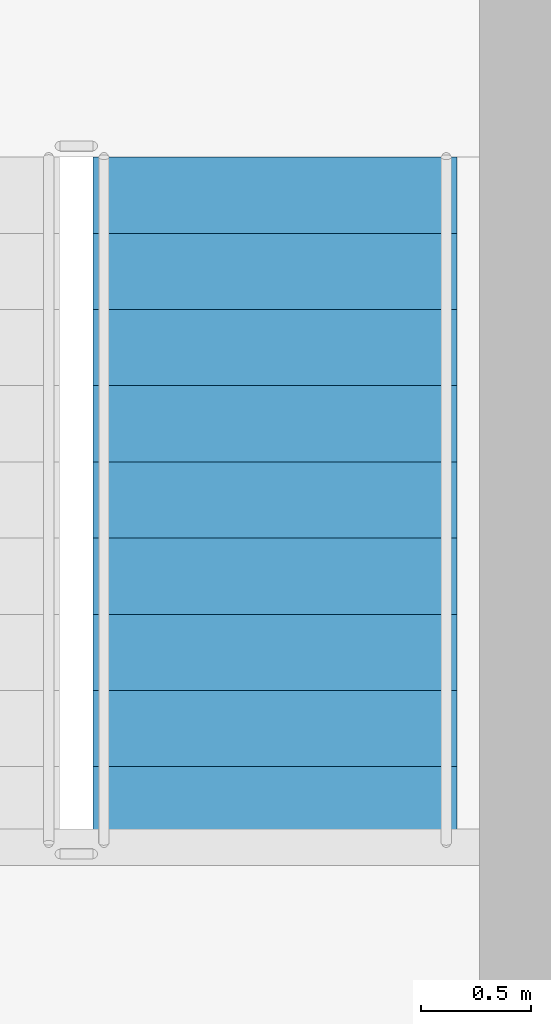
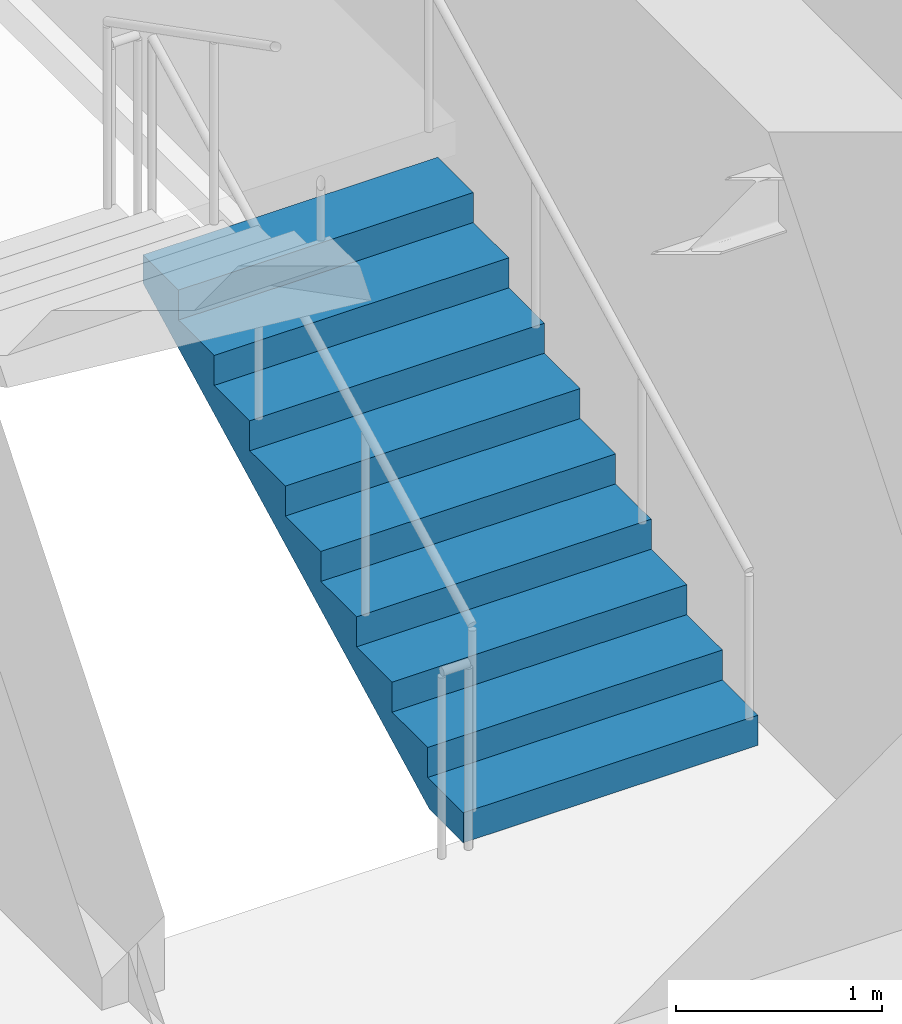
# One storey, part 13 of 14: 1 stair flight, 1 element without a shape of its own.
"""IFC4 building model written with IfcOpenShell, lengths in metres."""

import ifcopenshell
import ifcopenshell.guid

model = None  # the IFC model being written
_history = None  # IfcOwnerHistory: only IFC2X3 demands one
_inside = {}  # id of a spatial element -> (the spatial element, [elements in it])
_under = {}  # id of a project, library or spatial element -> (it, [spatial elements below it])
_declared = {}  # id of a project -> (the project, [libraries it declares])
_typed = {}  # id of a type object -> (the type object, [elements of that type])
_made_of = {}  # id of a material, layer set ... -> (it, [elements and type objects made of it])


def new_model(schema):
    """Start an empty IFC model of exactly this schema.

    Asked for "IFC4X3", IfcOpenShell would pick the latest addendum, in which some entities
    have other attributes; the version numbers below select the first issue.
    IFC2X3 requires an IfcOwnerHistory on every rooted entity: one is made here for all.
    """
    global model, _history
    if schema == "IFC4X3":
        model = ifcopenshell.file(schema_version=(4, 3, 0, 0))
    else:
        model = ifcopenshell.file(schema=schema)
    _inside.clear()
    _under.clear()
    _declared.clear()
    _typed.clear()
    _made_of.clear()
    _history = None
    if model.schema == "IFC2X3":
        org = make("IfcOrganization", Name="unknown")
        user = make(
            "IfcPersonAndOrganization",
            ThePerson=make("IfcPerson", FamilyName="unknown"),
            TheOrganization=org,
        )
        app = make(
            "IfcApplication",
            ApplicationDeveloper=org,
            Version="unknown",
            ApplicationFullName="unknown",
            ApplicationIdentifier="unknown",
        )
        _history = make(
            "IfcOwnerHistory",
            OwningUser=user,
            OwningApplication=app,
            ChangeAction="ADDED",
            CreationDate=0,
        )
    return model


def make(cls, **values):
    """One entity of the class cls with the attributes given. An attribute that is None is left unset."""
    return model.create_entity(
        cls, **{name: value for name, value in values.items() if value is not None}
    )


def rooted(cls, **values):
    """An entity with a GlobalId (a new one), such as an element, a storey or a relation."""
    return make(cls, GlobalId=ifcopenshell.guid.new(), OwnerHistory=_history, **values)


def si_unit(unit_type, name, prefix=None):
    """IfcSIUnit, for example si_unit("LENGTHUNIT", "METRE", prefix="MILLI")."""
    return make("IfcSIUnit", UnitType=unit_type, Prefix=prefix, Name=name)


def assignment(units):
    """IfcUnitAssignment: the units of a project."""
    return None if units is None else make("IfcUnitAssignment", Units=units)


def point(xyz):
    """IfcCartesianPoint."""
    return None if xyz is None else make("IfcCartesianPoint", Coordinates=xyz)


def direction(xyz):
    """IfcDirection."""
    return None if xyz is None else make("IfcDirection", DirectionRatios=xyz)


def frame(location, z_axis=None, x_axis=None):
    """IfcAxis2Placement3D, a coordinate frame: its origin and axes. An axis left out is left unset."""
    return make(
        "IfcAxis2Placement3D",
        Location=point(location),
        Axis=direction(z_axis),
        RefDirection=direction(x_axis),
    )


def origin():
    """The frame at (0, 0, 0) with its axes left unset."""
    return frame((0.0, 0.0, 0.0))


def place(relative_to, where):
    """IfcLocalPlacement: puts the frame where relative to a parent placement (None: the world)."""
    return make(
        "IfcLocalPlacement", PlacementRelTo=relative_to, RelativePlacement=where
    )


def context(
    kind, dimensions, precision=None, world=None, true_north=None, identifier=None
):
    """IfcGeometricRepresentationContext, for example the 3D "Model" context."""
    return make(
        "IfcGeometricRepresentationContext",
        ContextIdentifier=identifier,
        ContextType=kind,
        CoordinateSpaceDimension=dimensions,
        Precision=precision,
        WorldCoordinateSystem=world,
        TrueNorth=true_north,
    )


def subcontext(parent, identifier, kind, view, scale=None):
    """IfcGeometricRepresentationSubContext, for example "Body" below "Model"."""
    return make(
        "IfcGeometricRepresentationSubContext",
        ContextIdentifier=identifier,
        ContextType=kind,
        ParentContext=parent,
        TargetScale=scale,
        TargetView=view,
    )


def project(units=None, contexts=None):
    """IfcProject with its units and contexts."""
    return rooted(
        "IfcProject",
        Name="project",
        RepresentationContexts=contexts,
        UnitsInContext=assignment(units),
    )


def spatial(cls, under=None, at=None, **own):
    """A site, building, storey or space (cls), placed at a placement, below another one or the project."""
    s = rooted(cls, ObjectPlacement=at, **own)
    if under is not None:
        _under.setdefault(under.id(), (under, []))[1].append(s)
    return s


def polyline(points):
    """IfcPolyline through the points."""
    return make("IfcPolyline", Points=[point(p) for p in points])


def outline(outer, holes=None, kind="AREA"):
    """IfcArbitraryClosedProfileDef: a profile drawn as a closed curve; with holes, ...WithVoids."""
    if holes is None:
        return make("IfcArbitraryClosedProfileDef", ProfileType=kind, OuterCurve=outer)
    return make(
        "IfcArbitraryProfileDefWithVoids",
        ProfileType=kind,
        OuterCurve=outer,
        InnerCurves=holes,
    )


def extrude(swept, where, along, depth):
    """IfcExtrudedAreaSolid: the profile swept, set in the frame where, extruded along a direction by depth."""
    return make(
        "IfcExtrudedAreaSolid",
        SweptArea=swept,
        Position=where,
        ExtrudedDirection=direction(along),
        Depth=depth,
    )


def shape(context_of_items, identifier, shape_type, items):
    """IfcShapeRepresentation: the items that make up one representation, for example the "Body"."""
    return make(
        "IfcShapeRepresentation",
        ContextOfItems=context_of_items,
        RepresentationIdentifier=identifier,
        RepresentationType=shape_type,
        Items=items,
    )


def material(Name=None, Category=None):
    """IfcMaterial."""
    return make("IfcMaterial", Name=Name, Category=Category)


def made_of(thing, what):
    """Note that an element or type object is made of a material, layer set ...; save() writes the relation."""
    if what is not None:
        _made_of.setdefault(what.id(), (what, []))[1].append(thing)
    return thing


def type_object(cls, material=None, **own):
    """A type object (cls), such as IfcWallType, which elements share."""
    return made_of(rooted(cls, **own), material)


def element(
    cls,
    number,
    at=None,
    inside=None,
    cuts=None,
    type_object=None,
    material=None,
    context=None,
    identifier="Body",
    shape_type=None,
    held_by="IfcProductDefinitionShape",
    body=None,
    shapes=None,
    **own,
):
    """One element of the class cls, such as IfcWall. Its Tag is "e" and its number.

    at: its placement. inside: the storey or other place that contains it. cuts: it is an
    opening in that element (IfcRelVoidsElement). A single representation is given by context,
    identifier, shape_type and body (its items); several are given by shapes. held_by: the class
    of the entity that holds the representations. save() writes the other relations.
    """
    e = rooted(cls, Tag="e%d" % number, ObjectPlacement=at, **own)
    if body is not None:
        shapes = [shape(context, identifier, shape_type, body)]
    if shapes is not None:
        e.Representation = make(held_by, Representations=shapes)
    if inside is not None:
        _inside.setdefault(inside.id(), (inside, []))[1].append(e)
    if cuts is not None:
        rooted(
            "IfcRelVoidsElement", RelatingBuildingElement=cuts, RelatedOpeningElement=e
        )
    if type_object is not None:
        _typed.setdefault(type_object.id(), (type_object, []))[1].append(e)
    return made_of(e, material)


def aggregate(whole, parts):
    """IfcRelAggregates: a whole, such as a stair, and the parts it consists of."""
    return rooted("IfcRelAggregates", RelatingObject=whole, RelatedObjects=parts)


def save(model, path):
    """Write the relations noted so far, then the file.

    IfcRelAggregates (storeys below a building ...), IfcRelContainedInSpatialStructure (elements
    in a storey), IfcRelDefinesByType, IfcRelAssociatesMaterial and IfcRelDeclares: one each for
    every whole, place, type object, material and project.
    """
    for whole, parts in _under.values():
        aggregate(whole, parts)
    for where, things in _inside.values():
        rooted(
            "IfcRelContainedInSpatialStructure",
            RelatedElements=things,
            RelatingStructure=where,
        )
    for kind, things in _typed.values():
        rooted("IfcRelDefinesByType", RelatedObjects=things, RelatingType=kind)
    for what, things in _made_of.values():
        rooted("IfcRelAssociatesMaterial", RelatedObjects=things, RelatingMaterial=what)
    for by, libraries in _declared.values():
        rooted("IfcRelDeclares", RelatingContext=by, RelatedDefinitions=libraries)
    model.write(path)


model = new_model("IFC4")

# Units and contexts
model_context = context("Model", 3, precision=1e-05, world=origin(), true_north=direction((0.0, 1.0)))
body_context = subcontext(model_context, "Body", "Model", "MODEL_VIEW")
ifc_project = project(units=[si_unit("LENGTHUNIT", "METRE"), si_unit("AREAUNIT", "SQUARE_METRE"), si_unit("VOLUMEUNIT", "CUBIC_METRE"), si_unit("PLANEANGLEUNIT", "RADIAN"), si_unit("MASSUNIT", "GRAM", prefix="KILO")], contexts=[model_context])

# Site, building, storey
site_placement = place(None, origin())
site = spatial("IfcSite", under=ifc_project, at=site_placement, CompositionType="ELEMENT")
building_placement = place(site_placement, origin())
building = spatial("IfcBuilding", under=site, at=building_placement, Name="Tolvann Quenvar Hotel", CompositionType="ELEMENT")
storey_placement = place(building_placement, frame((0.0, 0.0, 150.60009765625)))
storey = spatial("IfcBuildingStorey", under=building, at=storey_placement, Name="L39", CompositionType="ELEMENT", Elevation=150.60009765625)

# Stair, stair flight
ifc_material = material(Name="Concrete N40 (40 MPa)", Category="concrete")
stair_type = type_object("IfcStairType", Name="STAIR", PredefinedType="HALF_TURN_STAIR", material=ifc_material)
stair_placement = place(storey_placement, origin())
stair = element("IfcStair", 1, at=stair_placement, inside=storey, type_object=stair_type, Name="L39 ST-C2", PredefinedType="HALF_TURN_STAIR")
stair_flight_type = type_object("IfcStairFlightType", Name="STAIR_FLIGHT", PredefinedType="STRAIGHT", material=ifc_material)
stair_flight_placement = place(storey_placement, frame((34.574951171875, 34.0, 0.0), z_axis=(0.0, 0.0, 1.0), x_axis=(0.0, 1.0, 0.0)))
stair_flight = element("IfcStairFlight", 2, at=stair_flight_placement, type_object=stair_flight_type, Name="ST-C2 flight 1", NumberOfRisers=10, NumberOfTreads=9, PredefinedType="STRAIGHT", RiserHeight=0.1775, TreadLength=0.345, context=body_context, shape_type="SweptSolid", body=[
    extrude(outline(polyline([(0.0, 0.0), (0.0, 0.177490234375), (0.344970703125, 0.177490234375), (0.344970703125, 0.35498046875), (0.68994140625, 0.35498046875), (0.68994140625, 0.532470703125), (1.034912109375, 0.532470703125), (1.034912109375, 0.7099609375), (1.3798828125, 0.7099609375), (1.3798828125, 0.887451171875), (1.72509765625, 0.887451171875), (1.72509765625, 1.06494140625), (2.070068359375, 1.06494140625), (2.070068359375, 1.242431640625), (2.4150390625, 1.242431640625), (2.4150390625, 1.419921875), (2.760009765625, 1.419921875), (2.760009765625, 1.597412109375), (3.10498046875, 1.597412109375), (3.10498046875, 1.77490234375), (3.10498046875, 1.428955078125), (0.32763671875, 0.0), (0.0, 0.0)])), frame((0.0, 0.824951171875, 0.0), z_axis=(0.0, -1.0, 0.0), x_axis=(1.0, 0.0, 0.0)), (0.0, 0.0, 1.0), 1.64990234375),
])
aggregate(stair, [stair_flight])

save(model, "model.ifc")
